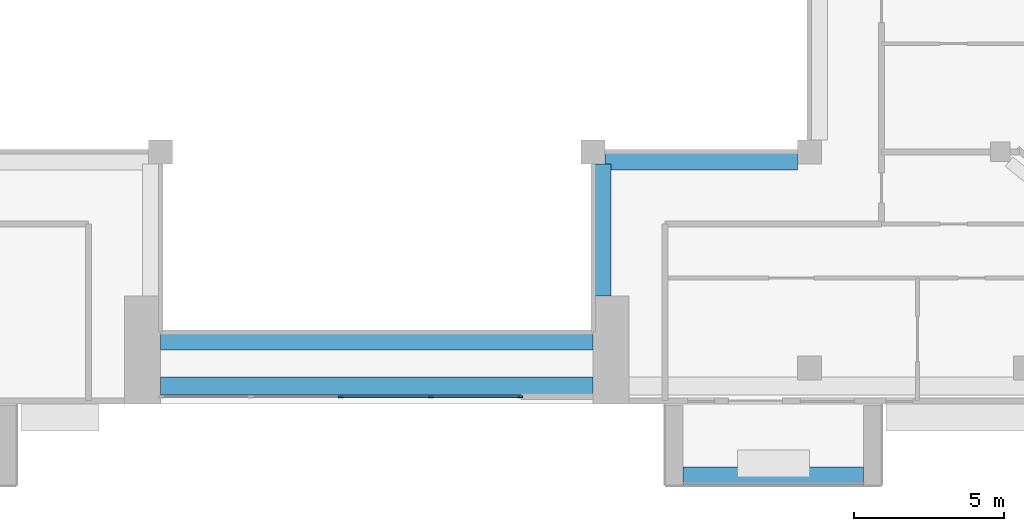
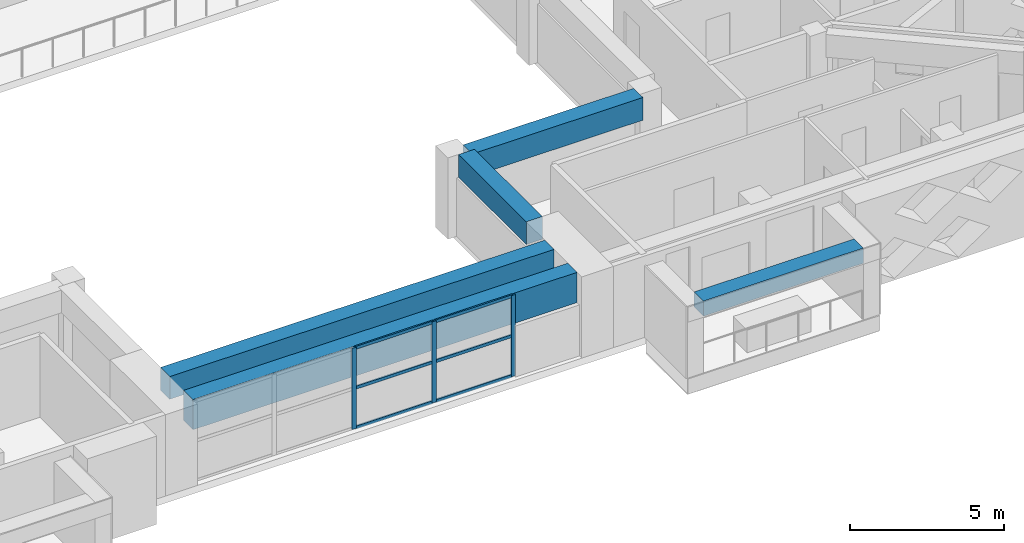
# One storey, part 4 of 19: 9 members, 5 beams, 1 element without a shape of its own.
"""IFC4 building model written with IfcOpenShell, lengths in metres."""

import ifcopenshell
import ifcopenshell.guid

model = None  # the IFC model being written
_history = None  # IfcOwnerHistory: only IFC2X3 demands one
_inside = {}  # id of a spatial element -> (the spatial element, [elements in it])
_under = {}  # id of a project, library or spatial element -> (it, [spatial elements below it])
_declared = {}  # id of a project -> (the project, [libraries it declares])
_typed = {}  # id of a type object -> (the type object, [elements of that type])
_made_of = {}  # id of a material, layer set ... -> (it, [elements and type objects made of it])


def new_model(schema):
    """Start an empty IFC model of exactly this schema.

    Asked for "IFC4X3", IfcOpenShell would pick the latest addendum, in which some entities
    have other attributes; the version numbers below select the first issue.
    IFC2X3 requires an IfcOwnerHistory on every rooted entity: one is made here for all.
    """
    global model, _history
    if schema == "IFC4X3":
        model = ifcopenshell.file(schema_version=(4, 3, 0, 0))
    else:
        model = ifcopenshell.file(schema=schema)
    _inside.clear()
    _under.clear()
    _declared.clear()
    _typed.clear()
    _made_of.clear()
    _history = None
    if model.schema == "IFC2X3":
        org = make("IfcOrganization", Name="unknown")
        user = make(
            "IfcPersonAndOrganization",
            ThePerson=make("IfcPerson", FamilyName="unknown"),
            TheOrganization=org,
        )
        app = make(
            "IfcApplication",
            ApplicationDeveloper=org,
            Version="unknown",
            ApplicationFullName="unknown",
            ApplicationIdentifier="unknown",
        )
        _history = make(
            "IfcOwnerHistory",
            OwningUser=user,
            OwningApplication=app,
            ChangeAction="ADDED",
            CreationDate=0,
        )
    return model


def make(cls, **values):
    """One entity of the class cls with the attributes given. An attribute that is None is left unset."""
    return model.create_entity(
        cls, **{name: value for name, value in values.items() if value is not None}
    )


def rooted(cls, **values):
    """An entity with a GlobalId (a new one), such as an element, a storey or a relation."""
    return make(cls, GlobalId=ifcopenshell.guid.new(), OwnerHistory=_history, **values)


def si_unit(unit_type, name, prefix=None):
    """IfcSIUnit, for example si_unit("LENGTHUNIT", "METRE", prefix="MILLI")."""
    return make("IfcSIUnit", UnitType=unit_type, Prefix=prefix, Name=name)


def assignment(units):
    """IfcUnitAssignment: the units of a project."""
    return None if units is None else make("IfcUnitAssignment", Units=units)


def point(xyz):
    """IfcCartesianPoint."""
    return None if xyz is None else make("IfcCartesianPoint", Coordinates=xyz)


def direction(xyz):
    """IfcDirection."""
    return None if xyz is None else make("IfcDirection", DirectionRatios=xyz)


def frame(location, z_axis=None, x_axis=None):
    """IfcAxis2Placement3D, a coordinate frame: its origin and axes. An axis left out is left unset."""
    return make(
        "IfcAxis2Placement3D",
        Location=point(location),
        Axis=direction(z_axis),
        RefDirection=direction(x_axis),
    )


def frame_2d(location, x_axis=None):
    """IfcAxis2Placement2D, a coordinate frame in the plane: its origin and x axis."""
    return make(
        "IfcAxis2Placement2D", Location=point(location), RefDirection=direction(x_axis)
    )


def origin():
    """The frame at (0, 0, 0) with its axes left unset."""
    return frame((0.0, 0.0, 0.0))


def origin_2d():
    """The frame at (0, 0) in the plane with its x axis left unset."""
    return frame_2d((0.0, 0.0))


def place(relative_to, where):
    """IfcLocalPlacement: puts the frame where relative to a parent placement (None: the world)."""
    return make(
        "IfcLocalPlacement", PlacementRelTo=relative_to, RelativePlacement=where
    )


def context(
    kind, dimensions, precision=None, world=None, true_north=None, identifier=None
):
    """IfcGeometricRepresentationContext, for example the 3D "Model" context."""
    return make(
        "IfcGeometricRepresentationContext",
        ContextIdentifier=identifier,
        ContextType=kind,
        CoordinateSpaceDimension=dimensions,
        Precision=precision,
        WorldCoordinateSystem=world,
        TrueNorth=true_north,
    )


def subcontext(parent, identifier, kind, view, scale=None):
    """IfcGeometricRepresentationSubContext, for example "Body" below "Model"."""
    return make(
        "IfcGeometricRepresentationSubContext",
        ContextIdentifier=identifier,
        ContextType=kind,
        ParentContext=parent,
        TargetScale=scale,
        TargetView=view,
    )


def project(units=None, contexts=None):
    """IfcProject with its units and contexts."""
    return rooted(
        "IfcProject",
        Name="project",
        RepresentationContexts=contexts,
        UnitsInContext=assignment(units),
    )


def spatial(cls, under=None, at=None, **own):
    """A site, building, storey or space (cls), placed at a placement, below another one or the project."""
    s = rooted(cls, ObjectPlacement=at, **own)
    if under is not None:
        _under.setdefault(under.id(), (under, []))[1].append(s)
    return s


def profile(cls, at=None, kind="AREA", **sizes):
    """A parametric profile (cls). Its sizes go by their IFC names, for example OverallWidth=200.0."""
    return make(cls, ProfileType=kind, Position=at, **sizes)


def rectangle(**sizes):
    """IfcRectangleProfileDef."""
    return profile("IfcRectangleProfileDef", **sizes)


def extrude(swept, where, along, depth):
    """IfcExtrudedAreaSolid: the profile swept, set in the frame where, extruded along a direction by depth."""
    return make(
        "IfcExtrudedAreaSolid",
        SweptArea=swept,
        Position=where,
        ExtrudedDirection=direction(along),
        Depth=depth,
    )


def shape(context_of_items, identifier, shape_type, items):
    """IfcShapeRepresentation: the items that make up one representation, for example the "Body"."""
    return make(
        "IfcShapeRepresentation",
        ContextOfItems=context_of_items,
        RepresentationIdentifier=identifier,
        RepresentationType=shape_type,
        Items=items,
    )


def source(mapping_origin, context_of_items, identifier, shape_type, items):
    """IfcRepresentationMap: a shape defined once, which mapped items show again and again."""
    return make(
        "IfcRepresentationMap",
        MappingOrigin=mapping_origin,
        MappedRepresentation=shape(context_of_items, identifier, shape_type, items),
    )


def transform(
    local_origin,
    x_axis=None,
    y_axis=None,
    z_axis=None,
    scale=None,
    scale2=None,
    scale3=None,
    uniform=True,
):
    """IfcCartesianTransformationOperator3D, or its non-uniform kind. x_axis, y_axis, z_axis: its Axis1, 2, 3."""
    if uniform:
        return make(
            "IfcCartesianTransformationOperator3D",
            Axis1=direction(x_axis),
            Axis2=direction(y_axis),
            LocalOrigin=point(local_origin),
            Scale=scale,
            Axis3=direction(z_axis),
        )
    return make(
        "IfcCartesianTransformationOperator3DnonUniform",
        Axis1=direction(x_axis),
        Axis2=direction(y_axis),
        LocalOrigin=point(local_origin),
        Scale=scale,
        Axis3=direction(z_axis),
        Scale2=scale2,
        Scale3=scale3,
    )


def mapped(mapping_source, mapping_target):
    """IfcMappedItem: shows the shape of a source again, moved by a transform."""
    return make(
        "IfcMappedItem", MappingSource=mapping_source, MappingTarget=mapping_target
    )


def material(Name=None, Category=None):
    """IfcMaterial."""
    return make("IfcMaterial", Name=Name, Category=Category)


def layer(
    of_material, thickness, ventilated=None, Name=None, Category=None, Priority=None
):
    """IfcMaterialLayer: one layer of a wall or slab, of a material (None: an air gap)."""
    return make(
        "IfcMaterialLayer",
        Material=of_material,
        LayerThickness=thickness,
        IsVentilated=ventilated,
        Name=Name,
        Category=Category,
        Priority=Priority,
    )


def layer_set(layers, Name=None):
    """IfcMaterialLayerSet."""
    return make("IfcMaterialLayerSet", MaterialLayers=layers, LayerSetName=Name)


def material_profile(
    of_material, cross_section, Name=None, Category=None, Priority=None
):
    """IfcMaterialProfile: a cross section and its material."""
    return make(
        "IfcMaterialProfile",
        Name=Name,
        Material=of_material,
        Profile=cross_section,
        Priority=Priority,
        Category=Category,
    )


def profile_set(profiles, Name=None, composite=None):
    """IfcMaterialProfileSet."""
    return make(
        "IfcMaterialProfileSet",
        Name=Name,
        MaterialProfiles=profiles,
        CompositeProfile=composite,
    )


def made_of(thing, what):
    """Note that an element or type object is made of a material, layer set ...; save() writes the relation."""
    if what is not None:
        _made_of.setdefault(what.id(), (what, []))[1].append(thing)
    return thing


def type_object(cls, material=None, **own):
    """A type object (cls), such as IfcWallType, which elements share."""
    return made_of(rooted(cls, **own), material)


def element(
    cls,
    number,
    at=None,
    inside=None,
    cuts=None,
    type_object=None,
    material=None,
    context=None,
    identifier="Body",
    shape_type=None,
    held_by="IfcProductDefinitionShape",
    body=None,
    shapes=None,
    **own,
):
    """One element of the class cls, such as IfcWall. Its Tag is "e" and its number.

    at: its placement. inside: the storey or other place that contains it. cuts: it is an
    opening in that element (IfcRelVoidsElement). A single representation is given by context,
    identifier, shape_type and body (its items); several are given by shapes. held_by: the class
    of the entity that holds the representations. save() writes the other relations.
    """
    e = rooted(cls, Tag="e%d" % number, ObjectPlacement=at, **own)
    if body is not None:
        shapes = [shape(context, identifier, shape_type, body)]
    if shapes is not None:
        e.Representation = make(held_by, Representations=shapes)
    if inside is not None:
        _inside.setdefault(inside.id(), (inside, []))[1].append(e)
    if cuts is not None:
        rooted(
            "IfcRelVoidsElement", RelatingBuildingElement=cuts, RelatedOpeningElement=e
        )
    if type_object is not None:
        _typed.setdefault(type_object.id(), (type_object, []))[1].append(e)
    return made_of(e, material)


def aggregate(whole, parts):
    """IfcRelAggregates: a whole, such as a stair, and the parts it consists of."""
    return rooted("IfcRelAggregates", RelatingObject=whole, RelatedObjects=parts)


def save(model, path):
    """Write the relations noted so far, then the file.

    IfcRelAggregates (storeys below a building ...), IfcRelContainedInSpatialStructure (elements
    in a storey), IfcRelDefinesByType, IfcRelAssociatesMaterial and IfcRelDeclares: one each for
    every whole, place, type object, material and project.
    """
    for whole, parts in _under.values():
        aggregate(whole, parts)
    for where, things in _inside.values():
        rooted(
            "IfcRelContainedInSpatialStructure",
            RelatedElements=things,
            RelatingStructure=where,
        )
    for kind, things in _typed.values():
        rooted("IfcRelDefinesByType", RelatedObjects=things, RelatingType=kind)
    for what, things in _made_of.values():
        rooted("IfcRelAssociatesMaterial", RelatedObjects=things, RelatingMaterial=what)
    for by, libraries in _declared.values():
        rooted("IfcRelDeclares", RelatingContext=by, RelatedDefinitions=libraries)
    model.write(path)


model = new_model("IFC4")

# Units and contexts
model_context = context("Model", 3, precision=1e-05, world=origin(), true_north=direction((0.0, 1.0)))
body_context = subcontext(model_context, "Body", "Model", "MODEL_VIEW")
ifc_project = project(units=[si_unit("LENGTHUNIT", "METRE"), si_unit("AREAUNIT", "SQUARE_METRE"), si_unit("VOLUMEUNIT", "CUBIC_METRE"), si_unit("PLANEANGLEUNIT", "RADIAN"), si_unit("MASSUNIT", "GRAM", prefix="KILO")], contexts=[model_context])

# Site, building, storey
site_placement = place(None, origin())
site = spatial("IfcSite", under=ifc_project, at=site_placement, CompositionType="ELEMENT")
building_placement = place(site_placement, origin())
building = spatial("IfcBuilding", under=site, at=building_placement, Name="Saffron Iwan Residences", CompositionType="ELEMENT")
storey_placement = place(building_placement, frame((0.0, 0.0, 246.5)))
storey = spatial("IfcBuildingStorey", under=building, at=storey_placement, Name="L66", CompositionType="ELEMENT", Elevation=246.5)

# Beams
ifc_material_1 = material(Name="Concrete C40/50", Category="concrete")
ifc_material_profile_1 = material_profile(ifc_material_1, rectangle(XDim=0.60009765625, YDim=1.199951171875, at=origin_2d()), Name="RC 600x1200")
ifc_profile_set_1 = profile_set([ifc_material_profile_1], Name="Concrete C40/50")
beam_type_1 = type_object("IfcBeamType", Name="LINTEL BEAM RC 600x1200 C40/50 TOP 3220", PredefinedType="LINTEL", material=ifc_profile_set_1)
shared_shape_1 = source(origin(), body_context, "Body", "SweptSolid", [
    extrude(rectangle(XDim=0.60009765625, YDim=1.199951171875, at=origin_2d()), origin(), (0.0, 0.0, 1.0), 14.400146484375),
])
beam_1_placement = place(storey_placement, frame((57.60009765625, 40.199951171875, 2.6201171875), z_axis=(-1.0, 0.0, 0.0), x_axis=(0.0, -1.0, 0.0)))
element("IfcBeam", 1, at=beam_1_placement, inside=storey, type_object=beam_type_1, Name="Lintel beam over the iwan", PredefinedType="LINTEL", context=body_context, shape_type="MappedRepresentation", body=[
    mapped(shared_shape_1, transform((0.0, 0.0, 0.0))),
])
ifc_material_profile_2 = material_profile(ifc_material_1, rectangle(XDim=0.60009765625, YDim=0.89990234375, at=origin_2d()), Name="RC 600x900")
ifc_profile_set_2 = profile_set([ifc_material_profile_2], Name="Concrete C40/50")
beam_type_2 = type_object("IfcBeamType", Name="BEAM RC 600x900 C40/50 TOP 3220", PredefinedType="BEAM", material=ifc_profile_set_2)
shared_shape_2 = source(origin(), body_context, "Body", "SweptSolid", [
    extrude(rectangle(XDim=0.60009765625, YDim=0.89990234375, at=origin_2d()), origin(), (0.0, 0.0, 1.0), 14.400146484375),
])
beam_2_placement = place(storey_placement, frame((57.60009765625, 41.699951171875, 2.77001953125), z_axis=(-1.0, 0.0, 0.0), x_axis=(0.0, -1.0, 0.0)))
element("IfcBeam", 2, at=beam_2_placement, inside=storey, type_object=beam_type_2, Name="Atrium edge beam", PredefinedType="BEAM", context=body_context, shape_type="MappedRepresentation", body=[
    mapped(shared_shape_2, transform((0.0, 0.0, 0.0))),
])
shared_shape_3 = source(origin(), body_context, "Body", "SweptSolid", [
    extrude(rectangle(XDim=0.60009765625, YDim=0.89990234375, at=origin_2d()), origin(), (0.0, 0.0, 1.0), 4.400146484375),
])
beam_3_placement = place(storey_placement, frame((57.89990234375, 47.60009765625, 2.77001953125), z_axis=(0.0, -1.0, 0.0), x_axis=(1.0, 0.0, 0.0)))
element("IfcBeam", 3, at=beam_3_placement, inside=storey, type_object=beam_type_2, Name="Atrium edge beam", PredefinedType="BEAM", context=body_context, shape_type="MappedRepresentation", body=[
    mapped(shared_shape_3, transform((0.0, 0.0, 0.0))),
])
shared_shape_4 = source(origin(), body_context, "Body", "SweptSolid", [
    extrude(rectangle(XDim=0.60009765625, YDim=0.89990234375, at=origin_2d()), origin(), (0.0, 0.0, 1.0), 6.39990234375),
])
beam_4_placement = place(storey_placement, frame((64.39990234375, 47.699951171875, 2.77001953125), z_axis=(-1.0, 0.0, 0.0), x_axis=(0.0, -1.0, 0.0)))
element("IfcBeam", 4, at=beam_4_placement, inside=storey, type_object=beam_type_2, Name="Atrium edge beam", PredefinedType="BEAM", context=body_context, shape_type="MappedRepresentation", body=[
    mapped(shared_shape_4, transform((0.0, 0.0, 0.0))),
])

# Curtain wall, members
ifc_material_2 = material(Name="Clear glass, laminated double glazed", Category="glass")
ifc_layer = layer(ifc_material_2, 0.199951171875)
ifc_layer_set = layer_set([ifc_layer], Name="Clear glass, laminated double glazed")
curtain_wall_type = type_object("IfcCurtainWallType", Name="CW-B IWAN PORTAL", PredefinedType="NOTDEFINED", material=ifc_layer_set)
curtain_wall_placement = place(storey_placement, origin())
curtain_wall = element("IfcCurtainWall", 5, at=curtain_wall_placement, inside=storey, type_object=curtain_wall_type, Name="Iwan portal glazing L66.1", PredefinedType="NOTDEFINED")
ifc_material_3 = material(Name="Aluminium 6063-T6", Category="aluminium")
ifc_material_profile_3 = material_profile(ifc_material_3, rectangle(XDim=0.06005859375, YDim=0.1201171875, at=origin_2d()), Name="CW-B TRANSOM 60 x 120")
ifc_profile_set_3 = profile_set([ifc_material_profile_3], Name="Aluminium 6063-T6")
member_type_1 = type_object("IfcMemberType", Name="CW-B TRANSOM 60 x 120", PredefinedType="USERDEFINED", material=ifc_profile_set_3)
shared_shape_5 = source(origin(), body_context, "Body", "SweptSolid", [
    extrude(rectangle(XDim=0.06005859375, YDim=0.1201171875, at=origin_2d()), origin(), (0.0, 0.0, 1.0), 2.909912109375),
])
member_1_placement = place(storey_placement, frame((52.22998046875, 39.85009765625, 0.030029296875), z_axis=(1.0, 0.0, 0.0), x_axis=(0.0, 1.0, 0.0)))
member_1 = element("IfcMember", 6, at=member_1_placement, type_object=member_type_1, Name="CW-B transom 4.1", ObjectType="TRANSOM", PredefinedType="USERDEFINED", context=body_context, shape_type="MappedRepresentation", body=[
    mapped(shared_shape_5, transform((0.0, 0.0, 0.0))),
])
member_2_placement = place(storey_placement, frame((52.22998046875, 39.85009765625, 1.610107421875), z_axis=(1.0, 0.0, 0.0), x_axis=(0.0, 1.0, 0.0)))
member_2 = element("IfcMember", 7, at=member_2_placement, type_object=member_type_1, Name="CW-B transom 4.2", ObjectType="TRANSOM", PredefinedType="USERDEFINED", context=body_context, shape_type="MappedRepresentation", body=[
    mapped(shared_shape_5, transform((0.0, 0.0, 0.0))),
])
member_3_placement = place(storey_placement, frame((52.22998046875, 39.85009765625, 3.18994140625), z_axis=(1.0, 0.0, 0.0), x_axis=(0.0, 1.0, 0.0)))
member_3 = element("IfcMember", 8, at=member_3_placement, type_object=member_type_1, Name="CW-B transom 4.3", ObjectType="TRANSOM", PredefinedType="USERDEFINED", context=body_context, shape_type="MappedRepresentation", body=[
    mapped(shared_shape_5, transform((0.0, 0.0, 0.0))),
])
shared_shape_6 = source(origin(), body_context, "Body", "SweptSolid", [
    extrude(rectangle(XDim=0.06005859375, YDim=0.1201171875, at=origin_2d()), origin(), (0.0, 0.0, 1.0), 2.93994140625),
])
member_4_placement = place(storey_placement, frame((49.22998046875, 39.85009765625, 0.030029296875), z_axis=(1.0, 0.0, 0.0), x_axis=(0.0, 1.0, 0.0)))
member_4 = element("IfcMember", 9, at=member_4_placement, type_object=member_type_1, Name="CW-B transom 3.1", ObjectType="TRANSOM", PredefinedType="USERDEFINED", context=body_context, shape_type="MappedRepresentation", body=[
    mapped(shared_shape_6, transform((0.0, 0.0, 0.0))),
])
member_5_placement = place(storey_placement, frame((49.22998046875, 39.85009765625, 1.610107421875), z_axis=(1.0, 0.0, 0.0), x_axis=(0.0, 1.0, 0.0)))
member_5 = element("IfcMember", 10, at=member_5_placement, type_object=member_type_1, Name="CW-B transom 3.2", ObjectType="TRANSOM", PredefinedType="USERDEFINED", context=body_context, shape_type="MappedRepresentation", body=[
    mapped(shared_shape_6, transform((0.0, 0.0, 0.0))),
])
member_6_placement = place(storey_placement, frame((49.22998046875, 39.85009765625, 3.18994140625), z_axis=(1.0, 0.0, 0.0), x_axis=(0.0, 1.0, 0.0)))
member_6 = element("IfcMember", 11, at=member_6_placement, type_object=member_type_1, Name="CW-B transom 3.3", ObjectType="TRANSOM", PredefinedType="USERDEFINED", context=body_context, shape_type="MappedRepresentation", body=[
    mapped(shared_shape_6, transform((0.0, 0.0, 0.0))),
])

# Beam
ifc_material_4 = material(Name="Concrete C50/60 white painted", Category="concrete")
ifc_material_profile_4 = material_profile(ifc_material_4, rectangle(XDim=0.60009765625, YDim=0.60009765625, at=origin_2d()), Name="BALCONY FASCIA BEAM 600 x 600")
ifc_profile_set_4 = profile_set([ifc_material_profile_4], Name="Concrete C50/60 white painted")
beam_type_3 = type_object("IfcBeamType", Name="BALCONY FASCIA BEAM 600 x 600", PredefinedType="BEAM", material=ifc_profile_set_4)
shared_shape_7 = source(origin(), body_context, "Body", "SweptSolid", [
    extrude(rectangle(XDim=0.60009765625, YDim=0.60009765625, at=origin_2d()), origin(), (0.0, 0.0, 1.0), 6.0),
])
beam_5_placement = place(storey_placement, frame((60.60009765625, 37.199951171875, 2.550048828125), z_axis=(1.0, 0.0, 0.0), x_axis=(0.0, 1.0, 0.0)))
element("IfcBeam", 12, at=beam_5_placement, inside=storey, type_object=beam_type_3, Name="Balcony fascia beam L66 11-1", PredefinedType="BEAM", context=body_context, shape_type="MappedRepresentation", body=[
    mapped(shared_shape_7, transform((0.0, 0.0, 0.0))),
])

# Member
ifc_material_profile_5 = material_profile(ifc_material_3, rectangle(XDim=0.06005859375, YDim=0.159912109375, at=origin_2d()), Name="CW-B MULLION 60 x 160")
ifc_profile_set_5 = profile_set([ifc_material_profile_5], Name="Aluminium 6063-T6")
member_type_2 = type_object("IfcMemberType", Name="CW-B MULLION 60 x 160", PredefinedType="MULLION", material=ifc_profile_set_5)
shared_shape_8 = source(origin(), body_context, "Body", "SweptSolid", [
    extrude(rectangle(XDim=0.06005859375, YDim=0.159912109375, at=origin_2d()), origin(), (0.0, 0.0, 1.0), 3.219970703125),
])
member_7_placement = place(storey_placement, frame((49.199951171875, 39.85009765625, 0.0), z_axis=(0.0, 0.0, 1.0), x_axis=(0.0, 1.0, 0.0)))
member_7 = element("IfcMember", 13, at=member_7_placement, type_object=member_type_2, Name="CW-B mullion 3", PredefinedType="MULLION", context=body_context, shape_type="MappedRepresentation", body=[
    mapped(shared_shape_8, transform((0.0, 0.0, 0.0))),
])

member_8_placement = place(storey_placement, frame((52.199951171875, 39.85009765625, 0.0), z_axis=(0.0, 0.0, 1.0), x_axis=(0.0, 1.0, 0.0)))
member_8 = element("IfcMember", 14, at=member_8_placement, type_object=member_type_2, Name="CW-B mullion 4", PredefinedType="MULLION", context=body_context, shape_type="MappedRepresentation", body=[
    mapped(shared_shape_8, transform((0.0, 0.0, 0.0))),
])

member_9_placement = place(storey_placement, frame((55.169921875, 39.85009765625, 0.0), z_axis=(0.0, 0.0, 1.0), x_axis=(0.0, 1.0, 0.0)))
member_9 = element("IfcMember", 15, at=member_9_placement, type_object=member_type_2, Name="CW-B mullion 5", PredefinedType="MULLION", context=body_context, shape_type="MappedRepresentation", body=[
    mapped(shared_shape_8, transform((0.0, 0.0, 0.0))),
])

aggregate(curtain_wall, [member_7, member_8, member_9, member_4, member_5, member_6, member_1, member_2, member_3])

save(model, "model.ifc")
